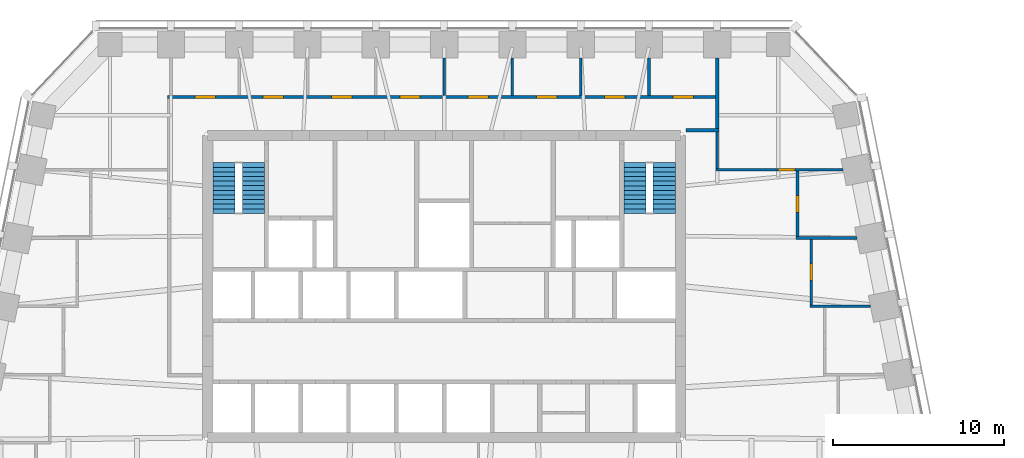
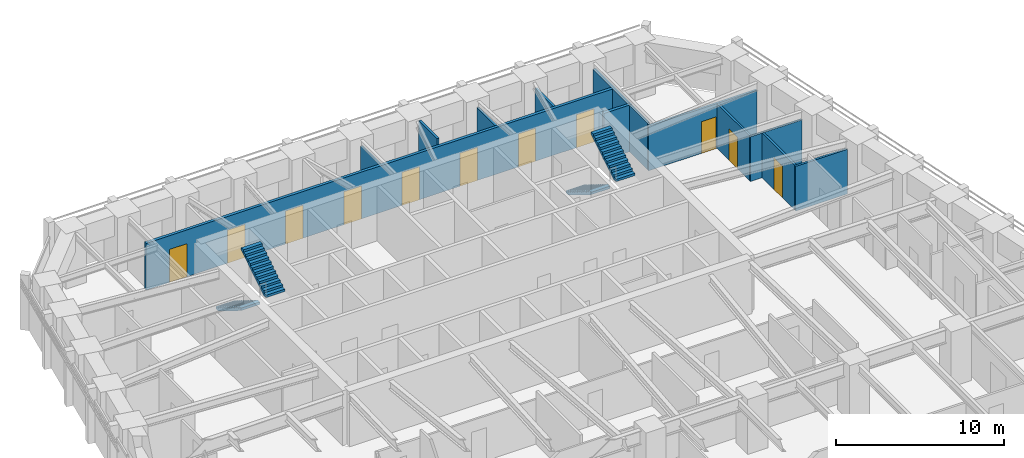
# One storey, part 9 of 11: 13 walls, 11 doors, 4 stair flights, 11 openings, 2 elements without a shape of their own.
"""IFC4 building model written with IfcOpenShell, lengths in metres."""

from ifc_helpers import new_model, si_unit, direction, frame, frame_2d, origin, place, context, subcontext, project, spatial, polyline, rectangle, outline, extrude, material, layer, layer_set, type_object, element, fill, aggregate, save


model = new_model("IFC4")

# Units and contexts
model_context = context("Model", 3, precision=1e-05, world=origin(), true_north=direction((0.0, 1.0)))
body_context = subcontext(model_context, "Body", "Model", "MODEL_VIEW")
ifc_project = project(units=[si_unit("LENGTHUNIT", "METRE"), si_unit("AREAUNIT", "SQUARE_METRE"), si_unit("VOLUMEUNIT", "CUBIC_METRE"), si_unit("PLANEANGLEUNIT", "RADIAN"), si_unit("MASSUNIT", "GRAM", prefix="KILO")], contexts=[model_context])

# Site, building, storey
site_placement = place(None, origin())
site = spatial("IfcSite", under=ifc_project, at=site_placement, CompositionType="ELEMENT")
building_placement = place(site_placement, origin())
building = spatial("IfcBuilding", under=site, at=building_placement, Name="Isbrekke Arena Tower", CompositionType="ELEMENT")
storey_placement = place(building_placement, frame((0.0, 0.0, 206.0)))
storey = spatial("IfcBuildingStorey", under=building, at=storey_placement, Name="L47", CompositionType="ELEMENT", Elevation=206.0)

# Walls
ifc_material_1 = material(Name="Gypsum board partition on steel studs", Category="steel")
ifc_layer_1 = layer(ifc_material_1, 0.14990234375)
ifc_layer_set_1 = layer_set([ifc_layer_1], Name="IW1 PARTITION 150")
wall_type_1 = type_object("IfcWallType", Name="IW1 PARTITION 150", PredefinedType="PARTITIONING", material=ifc_layer_set_1)
for number, where, z_axis, x_axis, name in (
    (1, (21.425048828125, 13.840087890625, 0.0), (0.0, 0.0, 1.0), (1.0, 0.0, 0.0), "IW1 partition 150 L47"),
    (2, (20.625, 17.840087890625, 0.0), (0.0, 0.0, 1.0), (1.0, 0.0, 0.0), "IW1 partition 150 L47"),
):
    element("IfcWall", number, at=place(storey_placement, frame(where, z_axis=z_axis, x_axis=x_axis)), inside=storey, type_object=wall_type_1, Name=name, PredefinedType="PARTITIONING", context=body_context, shape_type="SweptSolid", body=[
        extrude(rectangle(XDim=3.5498046875, YDim=0.14990234375, at=frame_2d((1.77490234375, 0.0))), origin(), (0.0, 0.0, 1.0), 3.25),
    ])

# Wall, opening, door
wall_1_placement = place(storey_placement, frame((15.925048828125, 21.840087890625, 0.0), z_axis=(0.0, 0.0, 1.0), x_axis=(1.0, 0.0, 0.0)))
wall_1 = element("IfcWall", 3, at=wall_1_placement, inside=storey, type_object=wall_type_1, Name="IW1 partition 150 L47", PredefinedType="PARTITIONING", context=body_context, shape_type="SweptSolid", body=[
    extrude(rectangle(XDim=7.44970703125, YDim=0.14990234375, at=frame_2d((3.724853515625, 0.0))), origin(), (0.0, 0.0, 1.0), 3.25),
])
opening_1_placement = place(wall_1_placement, frame((3.634033203125, 0.0, 0.0)))
opening_1 = element("IfcOpeningElement", 4, at=opening_1_placement, cuts=wall_1, Name="Opening D10", PredefinedType="OPENING", context=body_context, shape_type="SweptSolid", body=[
    extrude(rectangle(XDim=1.0, YDim=2.300048828125, at=frame_2d((0.5, 1.14990234375))), frame((0.0, 0.08984375, 0.0), z_axis=(0.0, -1.0, 0.0), x_axis=(1.0, 0.0, 0.0)), (0.0, 0.0, 1.0), 0.1796875),
])
ifc_material_2 = material(Name="Timber door", Category="wood")
door_type_1 = type_object("IfcDoorType", Name="D10 OFFICE DOOR 1000 x 2300", OperationType="SINGLE_SWING_LEFT", PredefinedType="DOOR", material=ifc_material_2)
door_1_placement = place(opening_1_placement, origin())
door_1 = element("IfcDoor", 5, at=door_1_placement, inside=storey, type_object=door_type_1, Name="D10 office door L47", OperationType="SINGLE_SWING_LEFT", OverallHeight=2.300048828125, OverallWidth=1.0, PredefinedType="DOOR", context=body_context, shape_type="SweptSolid", body=[
    extrude(rectangle(XDim=1.0, YDim=2.300048828125, at=frame_2d((0.5, 1.14990234375))), frame((0.0, 0.07470703125, 0.0), z_axis=(0.0, -1.0, 0.0), x_axis=(1.0, 0.0, 0.0)), (0.0, 0.0, 1.0), 0.1494140625),
])
fill(opening_1, door_1)

# Walls
wall_2_placement = place(storey_placement, frame((0.0, 26.199951171875, 0.0), z_axis=(0.0, 0.0, 1.0), x_axis=(0.0, 1.0, 0.0)))
element("IfcWall", 6, at=wall_2_placement, inside=storey, type_object=wall_type_1, Name="IW1 partition 150 L47", PredefinedType="PARTITIONING", context=body_context, shape_type="SweptSolid", body=[
    extrude(rectangle(XDim=2.175048828125, YDim=0.14990234375, at=frame_2d((1.08740234375, 0.0))), origin(), (0.0, 0.0, 1.0), 3.39990234375),
])
wall_3_placement = place(storey_placement, frame((4.0, 26.199951171875, 0.0), z_axis=(0.0, 0.0, 1.0), x_axis=(0.0, 1.0, 0.0)))
element("IfcWall", 7, at=wall_3_placement, inside=storey, type_object=wall_type_1, Name="IW1 partition 150 L47", PredefinedType="PARTITIONING", context=body_context, shape_type="SweptSolid", body=[
    extrude(rectangle(XDim=2.175048828125, YDim=0.14990234375, at=frame_2d((1.08740234375, 0.0))), origin(), (0.0, 0.0, 1.0), 3.85009765625),
])
for number, where, z_axis, x_axis, name in (
    (8, (8.0, 26.199951171875, 0.0), (0.0, 0.0, 1.0), (0.0, 1.0, 0.0), "IW1 partition 150 L47"),
    (9, (12.0, 26.199951171875, 0.0), (0.0, 0.0, 1.0), (0.0, 1.0, 0.0), "IW1 partition 150 L47"),
):
    element("IfcWall", number, at=place(storey_placement, frame(where, z_axis=z_axis, x_axis=x_axis)), inside=storey, type_object=wall_type_1, Name=name, PredefinedType="PARTITIONING", context=body_context, shape_type="SweptSolid", body=[
        extrude(rectangle(XDim=2.175048828125, YDim=0.14990234375, at=frame_2d((1.08740234375, 0.0))), origin(), (0.0, 0.0, 1.0), 3.39990234375),
    ])
wall_4_placement = place(storey_placement, frame((16.0, 21.9150390625, 0.0), z_axis=(0.0, 0.0, 1.0), x_axis=(0.0, 1.0, 0.0)))
element("IfcWall", 10, at=wall_4_placement, inside=storey, type_object=wall_type_1, Name="IW1 partition 150 L47", PredefinedType="PARTITIONING", context=body_context, shape_type="SweptSolid", body=[
    extrude(rectangle(XDim=2.135009765625, YDim=0.14990234375, at=frame_2d((1.0673828125, 0.0))), origin(), (0.0, 0.0, 1.0), 3.39990234375),
])

# Wall, opening, door
wall_5_placement = place(storey_placement, frame((20.699951171875, 17.9150390625, 0.0), z_axis=(0.0, 0.0, 1.0), x_axis=(0.0, 1.0, 0.0)))
wall_5 = element("IfcWall", 11, at=wall_5_placement, inside=storey, type_object=wall_type_1, Name="IW1 partition 150 L47", PredefinedType="PARTITIONING", context=body_context, shape_type="SweptSolid", body=[
    extrude(rectangle(XDim=3.849853515625, YDim=0.14990234375, at=frame_2d((1.9248046875, 0.0))), origin(), (0.0, 0.0, 1.0), 3.25),
])
opening_2_placement = place(wall_5_placement, frame((1.425048828125, 0.0, 0.0)))
opening_2 = element("IfcOpeningElement", 12, at=opening_2_placement, cuts=wall_5, Name="Opening D10", PredefinedType="OPENING", context=body_context, shape_type="SweptSolid", body=[
    extrude(rectangle(XDim=1.0, YDim=2.300048828125, at=frame_2d((0.5, 1.14990234375))), frame((0.0, 0.08984375, 0.0), z_axis=(0.0, -1.0, 0.0), x_axis=(1.0, 0.0, 0.0)), (0.0, 0.0, 1.0), 0.1796875),
])
door_2_placement = place(opening_2_placement, origin())
door_2 = element("IfcDoor", 13, at=door_2_placement, inside=storey, type_object=door_type_1, Name="D10 office door L47", OperationType="SINGLE_SWING_LEFT", OverallHeight=2.300048828125, OverallWidth=1.0, PredefinedType="DOOR", context=body_context, shape_type="SweptSolid", body=[
    extrude(rectangle(XDim=1.0, YDim=2.300048828125, at=frame_2d((0.5, 1.14990234375))), frame((0.0, 0.07470703125, 0.0), z_axis=(0.0, -1.0, 0.0), x_axis=(1.0, 0.0, 0.0)), (0.0, 0.0, 1.0), 0.1494140625),
])
fill(opening_2, door_2)

wall_6_placement = place(storey_placement, frame((21.5, 13.9150390625, 0.0), z_axis=(0.0, 0.0, 1.0), x_axis=(0.0, 1.0, 0.0)))
wall_6 = element("IfcWall", 14, at=wall_6_placement, inside=storey, type_object=wall_type_1, Name="IW1 partition 150 L47", PredefinedType="PARTITIONING", context=body_context, shape_type="SweptSolid", body=[
    extrude(rectangle(XDim=3.849853515625, YDim=0.14990234375, at=frame_2d((1.9248046875, 0.0))), origin(), (0.0, 0.0, 1.0), 3.25),
])
opening_3_placement = place(wall_6_placement, frame((1.425048828125, 0.0, 0.0)))
opening_3 = element("IfcOpeningElement", 15, at=opening_3_placement, cuts=wall_6, Name="Opening D10", PredefinedType="OPENING", context=body_context, shape_type="SweptSolid", body=[
    extrude(rectangle(XDim=1.0, YDim=2.300048828125, at=frame_2d((0.5, 1.14990234375))), frame((0.0, 0.08984375, 0.0), z_axis=(0.0, -1.0, 0.0), x_axis=(1.0, 0.0, 0.0)), (0.0, 0.0, 1.0), 0.1796875),
])
door_3_placement = place(opening_3_placement, origin())
door_3 = element("IfcDoor", 16, at=door_3_placement, inside=storey, type_object=door_type_1, Name="D10 office door L47", OperationType="SINGLE_SWING_LEFT", OverallHeight=2.300048828125, OverallWidth=1.0, PredefinedType="DOOR", context=body_context, shape_type="SweptSolid", body=[
    extrude(rectangle(XDim=1.0, YDim=2.300048828125, at=frame_2d((0.5, 1.14990234375))), frame((0.0, 0.07470703125, 0.0), z_axis=(0.0, -1.0, 0.0), x_axis=(1.0, 0.0, 0.0)), (0.0, 0.0, 1.0), 0.1494140625),
])
fill(opening_3, door_3)

# Wall
ifc_material_3 = material(Name="Gypsum board fire-cell wall on steel studs, two layers each side", Category="steel")
ifc_layer_2 = layer(ifc_material_3, 0.199951171875)
ifc_layer_set_2 = layer_set([ifc_layer_2], Name="IW3 FIRE-CELL WALL 200")
wall_type_2 = type_object("IfcWallType", Name="IW3 FIRE-CELL WALL 200", PredefinedType="PARTITIONING", material=ifc_layer_set_2)
wall_7_placement = place(storey_placement, frame((14.179931640625, 24.14990234375, 0.0), z_axis=(0.0, 0.0, 1.0), x_axis=(1.0, 0.0, 0.0)))
element("IfcWall", 17, at=wall_7_placement, inside=storey, type_object=wall_type_2, Name="IW3 fire-cell wall 200 L47", PredefinedType="PARTITIONING", context=body_context, shape_type="SweptSolid", body=[
    extrude(rectangle(XDim=1.920166015625, YDim=0.199951171875, at=frame_2d((0.9599609375, 0.0))), origin(), (0.0, 0.0, 1.0), 3.39990234375),
])

# Wall, openings, doors
wall_8_placement = place(storey_placement, frame((-16.199951171875, 26.10009765625, 0.0), z_axis=(0.0, 0.0, 1.0), x_axis=(1.0, 0.0, 0.0)))
wall_8 = element("IfcWall", 18, at=wall_8_placement, inside=storey, type_object=wall_type_2, Name="IW3 fire-cell wall 200 L47", PredefinedType="PARTITIONING", context=body_context, shape_type="SweptSolid", body=[
    extrude(rectangle(XDim=32.099853515625, YDim=0.199951171875, at=frame_2d((16.0498046875, 0.0))), origin(), (0.0, 0.0, 1.0), 3.39990234375),
])
opening_4_placement = place(wall_8_placement, frame((1.60009765625, 0.0, 0.0)))
opening_4 = element("IfcOpeningElement", 19, at=opening_4_placement, cuts=wall_8, Name="Opening D12", PredefinedType="OPENING", context=body_context, shape_type="SweptSolid", body=[
    extrude(rectangle(XDim=1.199951171875, YDim=2.39990234375, at=frame_2d((0.60009765625, 1.199951171875))), frame((0.0, 0.11474609375, 0.0), z_axis=(0.0, -1.0, 0.0), x_axis=(1.0, 0.0, 0.0)), (0.0, 0.0, 1.0), 0.229736328125),
])
opening_5_placement = place(wall_8_placement, frame((5.60009765625, 0.0, 0.0)))
opening_5 = element("IfcOpeningElement", 20, at=opening_5_placement, cuts=wall_8, Name="Opening D12", PredefinedType="OPENING", context=body_context, shape_type="SweptSolid", body=[
    extrude(rectangle(XDim=1.199951171875, YDim=2.39990234375, at=frame_2d((0.60009765625, 1.199951171875))), frame((0.0, 0.11474609375, 0.0), z_axis=(0.0, -1.0, 0.0), x_axis=(1.0, 0.0, 0.0)), (0.0, 0.0, 1.0), 0.229736328125),
])
opening_6_placement = place(wall_8_placement, frame((9.60009765625, 0.0, 0.0)))
opening_6 = element("IfcOpeningElement", 21, at=opening_6_placement, cuts=wall_8, Name="Opening D12", PredefinedType="OPENING", context=body_context, shape_type="SweptSolid", body=[
    extrude(rectangle(XDim=1.199951171875, YDim=2.39990234375, at=frame_2d((0.60009765625, 1.199951171875))), frame((0.0, 0.11474609375, 0.0), z_axis=(0.0, -1.0, 0.0), x_axis=(1.0, 0.0, 0.0)), (0.0, 0.0, 1.0), 0.229736328125),
])
opening_7_placement = place(wall_8_placement, frame((13.60009765625, 0.0, 0.0)))
opening_7 = element("IfcOpeningElement", 22, at=opening_7_placement, cuts=wall_8, Name="Opening D12", PredefinedType="OPENING", context=body_context, shape_type="SweptSolid", body=[
    extrude(rectangle(XDim=1.199951171875, YDim=2.39990234375, at=frame_2d((0.60009765625, 1.199951171875))), frame((0.0, 0.11474609375, 0.0), z_axis=(0.0, -1.0, 0.0), x_axis=(1.0, 0.0, 0.0)), (0.0, 0.0, 1.0), 0.229736328125),
])
opening_8_placement = place(wall_8_placement, frame((17.60009765625, 0.0, 0.0)))
opening_8 = element("IfcOpeningElement", 23, at=opening_8_placement, cuts=wall_8, Name="Opening D12", PredefinedType="OPENING", context=body_context, shape_type="SweptSolid", body=[
    extrude(rectangle(XDim=1.199951171875, YDim=2.39990234375, at=frame_2d((0.60009765625, 1.199951171875))), frame((0.0, 0.11474609375, 0.0), z_axis=(0.0, -1.0, 0.0), x_axis=(1.0, 0.0, 0.0)), (0.0, 0.0, 1.0), 0.229736328125),
])
opening_9_placement = place(wall_8_placement, frame((21.60009765625, 0.0, 0.0)))
opening_9 = element("IfcOpeningElement", 24, at=opening_9_placement, cuts=wall_8, Name="Opening D12", PredefinedType="OPENING", context=body_context, shape_type="SweptSolid", body=[
    extrude(rectangle(XDim=1.199951171875, YDim=2.39990234375, at=frame_2d((0.60009765625, 1.199951171875))), frame((0.0, 0.11474609375, 0.0), z_axis=(0.0, -1.0, 0.0), x_axis=(1.0, 0.0, 0.0)), (0.0, 0.0, 1.0), 0.229736328125),
])
opening_10_placement = place(wall_8_placement, frame((25.60009765625, 0.0, 0.0)))
opening_10 = element("IfcOpeningElement", 25, at=opening_10_placement, cuts=wall_8, Name="Opening D12", PredefinedType="OPENING", context=body_context, shape_type="SweptSolid", body=[
    extrude(rectangle(XDim=1.199951171875, YDim=2.39990234375, at=frame_2d((0.60009765625, 1.199951171875))), frame((0.0, 0.11474609375, 0.0), z_axis=(0.0, -1.0, 0.0), x_axis=(1.0, 0.0, 0.0)), (0.0, 0.0, 1.0), 0.229736328125),
])
opening_11_placement = place(wall_8_placement, frame((29.60009765625, 0.0, 0.0)))
opening_11 = element("IfcOpeningElement", 26, at=opening_11_placement, cuts=wall_8, Name="Opening D12", PredefinedType="OPENING", context=body_context, shape_type="SweptSolid", body=[
    extrude(rectangle(XDim=1.199951171875, YDim=2.39990234375, at=frame_2d((0.60009765625, 1.199951171875))), frame((0.0, 0.11474609375, 0.0), z_axis=(0.0, -1.0, 0.0), x_axis=(1.0, 0.0, 0.0)), (0.0, 0.0, 1.0), 0.229736328125),
])
ifc_material_4 = material(Name="Timber fire door with vision panel", Category="wood")
door_type_2 = type_object("IfcDoorType", Name="D12 SUITE ENTRANCE DOOR 1200 x 2400", OperationType="SINGLE_SWING_LEFT", PredefinedType="DOOR", material=ifc_material_4)
door_4_placement = place(opening_4_placement, origin())
door_4 = element("IfcDoor", 27, at=door_4_placement, inside=storey, type_object=door_type_2, Name="D12 office door L47", OperationType="SINGLE_SWING_LEFT", OverallHeight=2.39990234375, OverallWidth=1.199951171875, PredefinedType="DOOR", context=body_context, shape_type="SweptSolid", body=[
    extrude(rectangle(XDim=1.199951171875, YDim=2.39990234375, at=frame_2d((0.60009765625, 1.199951171875))), frame((0.0, 0.099609375, 0.0), z_axis=(0.0, -1.0, 0.0), x_axis=(1.0, 0.0, 0.0)), (0.0, 0.0, 1.0), 0.199462890625),
])
fill(opening_4, door_4)
door_5_placement = place(opening_5_placement, origin())
door_5 = element("IfcDoor", 28, at=door_5_placement, inside=storey, type_object=door_type_2, Name="D12 office door L47", OperationType="SINGLE_SWING_LEFT", OverallHeight=2.39990234375, OverallWidth=1.199951171875, PredefinedType="DOOR", context=body_context, shape_type="SweptSolid", body=[
    extrude(rectangle(XDim=1.199951171875, YDim=2.39990234375, at=frame_2d((0.60009765625, 1.199951171875))), frame((0.0, 0.099609375, 0.0), z_axis=(0.0, -1.0, 0.0), x_axis=(1.0, 0.0, 0.0)), (0.0, 0.0, 1.0), 0.199462890625),
])
fill(opening_5, door_5)
door_6_placement = place(opening_6_placement, origin())
door_6 = element("IfcDoor", 29, at=door_6_placement, inside=storey, type_object=door_type_2, Name="D12 office door L47", OperationType="SINGLE_SWING_LEFT", OverallHeight=2.39990234375, OverallWidth=1.199951171875, PredefinedType="DOOR", context=body_context, shape_type="SweptSolid", body=[
    extrude(rectangle(XDim=1.199951171875, YDim=2.39990234375, at=frame_2d((0.60009765625, 1.199951171875))), frame((0.0, 0.099609375, 0.0), z_axis=(0.0, -1.0, 0.0), x_axis=(1.0, 0.0, 0.0)), (0.0, 0.0, 1.0), 0.199462890625),
])
fill(opening_6, door_6)
door_7_placement = place(opening_7_placement, origin())
door_7 = element("IfcDoor", 30, at=door_7_placement, inside=storey, type_object=door_type_2, Name="D12 office door L47", OperationType="SINGLE_SWING_LEFT", OverallHeight=2.39990234375, OverallWidth=1.199951171875, PredefinedType="DOOR", context=body_context, shape_type="SweptSolid", body=[
    extrude(rectangle(XDim=1.199951171875, YDim=2.39990234375, at=frame_2d((0.60009765625, 1.199951171875))), frame((0.0, 0.099609375, 0.0), z_axis=(0.0, -1.0, 0.0), x_axis=(1.0, 0.0, 0.0)), (0.0, 0.0, 1.0), 0.199462890625),
])
fill(opening_7, door_7)
door_8_placement = place(opening_8_placement, origin())
door_8 = element("IfcDoor", 31, at=door_8_placement, inside=storey, type_object=door_type_2, Name="D12 office door L47", OperationType="SINGLE_SWING_LEFT", OverallHeight=2.39990234375, OverallWidth=1.199951171875, PredefinedType="DOOR", context=body_context, shape_type="SweptSolid", body=[
    extrude(rectangle(XDim=1.199951171875, YDim=2.39990234375, at=frame_2d((0.60009765625, 1.199951171875))), frame((0.0, 0.099609375, 0.0), z_axis=(0.0, -1.0, 0.0), x_axis=(1.0, 0.0, 0.0)), (0.0, 0.0, 1.0), 0.199462890625),
])
fill(opening_8, door_8)
door_9_placement = place(opening_9_placement, origin())
door_9 = element("IfcDoor", 32, at=door_9_placement, inside=storey, type_object=door_type_2, Name="D12 office door L47", OperationType="SINGLE_SWING_LEFT", OverallHeight=2.39990234375, OverallWidth=1.199951171875, PredefinedType="DOOR", context=body_context, shape_type="SweptSolid", body=[
    extrude(rectangle(XDim=1.199951171875, YDim=2.39990234375, at=frame_2d((0.60009765625, 1.199951171875))), frame((0.0, 0.099609375, 0.0), z_axis=(0.0, -1.0, 0.0), x_axis=(1.0, 0.0, 0.0)), (0.0, 0.0, 1.0), 0.199462890625),
])
fill(opening_9, door_9)
door_10_placement = place(opening_10_placement, origin())
door_10 = element("IfcDoor", 33, at=door_10_placement, inside=storey, type_object=door_type_2, Name="D12 office door L47", OperationType="SINGLE_SWING_LEFT", OverallHeight=2.39990234375, OverallWidth=1.199951171875, PredefinedType="DOOR", context=body_context, shape_type="SweptSolid", body=[
    extrude(rectangle(XDim=1.199951171875, YDim=2.39990234375, at=frame_2d((0.60009765625, 1.199951171875))), frame((0.0, 0.099609375, 0.0), z_axis=(0.0, -1.0, 0.0), x_axis=(1.0, 0.0, 0.0)), (0.0, 0.0, 1.0), 0.199462890625),
])
fill(opening_10, door_10)
door_11_placement = place(opening_11_placement, origin())
door_11 = element("IfcDoor", 34, at=door_11_placement, inside=storey, type_object=door_type_2, Name="D12 office door L47", OperationType="SINGLE_SWING_LEFT", OverallHeight=2.39990234375, OverallWidth=1.199951171875, PredefinedType="DOOR", context=body_context, shape_type="SweptSolid", body=[
    extrude(rectangle(XDim=1.199951171875, YDim=2.39990234375, at=frame_2d((0.60009765625, 1.199951171875))), frame((0.0, 0.099609375, 0.0), z_axis=(0.0, -1.0, 0.0), x_axis=(1.0, 0.0, 0.0)), (0.0, 0.0, 1.0), 0.199462890625),
])
fill(opening_11, door_11)

# Wall
wall_9_placement = place(storey_placement, frame((16.0, 24.25, 0.0), z_axis=(0.0, 0.0, 1.0), x_axis=(0.0, 1.0, 0.0)))
element("IfcWall", 35, at=wall_9_placement, inside=storey, type_object=wall_type_2, Name="IW3 fire-cell wall 200 L47", PredefinedType="PARTITIONING", context=body_context, shape_type="SweptSolid", body=[
    extrude(rectangle(XDim=4.125, YDim=0.199951171875, at=frame_2d((2.0625, 0.0))), origin(), (0.0, 0.0, 1.0), 3.39990234375),
])

# Stair, stair flights
ifc_material_5 = material(Name="Concrete B45 (C45/55) precast", Category="concrete")
stair_type = type_object("IfcStairType", Name="ST40 STAIR 1300 WIDE, 24 RISERS 167", PredefinedType="HALF_TURN_STAIR", material=ifc_material_5)
stair_1_placement = place(storey_placement, origin())
stair_1 = element("IfcStair", 36, at=stair_1_placement, inside=storey, type_object=stair_type, Name="ST1 stair L47", PredefinedType="HALF_TURN_STAIR")
ifc_material_6 = material(Name="Concrete B45 (C45/55) precast", Category="concrete")
stair_flight_type = type_object("IfcStairFlightType", Name="SF 1300 FLIGHT", PredefinedType="STRAIGHT", material=ifc_material_6)
stair_flight_1_placement = place(storey_placement, frame((-12.89990234375, 22.25, 0.0), z_axis=(0.0, 0.0, 1.0), x_axis=(0.0, -1.0, 0.0)))
stair_flight_1 = element("IfcStairFlight", 37, at=stair_flight_1_placement, type_object=stair_flight_type, Name="ST1 flight 1", NumberOfRisers=12, NumberOfTreads=11, PredefinedType="STRAIGHT", RiserHeight=0.166666667, TreadLength=0.27, context=body_context, shape_type="SweptSolid", body=[
    extrude(outline(polyline([(0.0, 0.0), (0.0, 0.166748046875), (0.27001953125, 0.166748046875), (0.27001953125, 0.333251953125), (0.5400390625, 0.333251953125), (0.5400390625, 0.5), (0.81005859375, 0.5), (0.81005859375, 0.666748046875), (1.080078125, 0.666748046875), (1.080078125, 0.833251953125), (1.35009765625, 0.833251953125), (1.35009765625, 1.0), (1.6201171875, 1.0), (1.6201171875, 1.166748046875), (1.889892578125, 1.166748046875), (1.889892578125, 1.333251953125), (2.159912109375, 1.333251953125), (2.159912109375, 1.5), (2.429931640625, 1.5), (2.429931640625, 1.666748046875), (2.699951171875, 1.666748046875), (2.699951171875, 1.833251953125), (2.969970703125, 1.833251953125), (2.969970703125, 2.0), (2.969970703125, 1.6572265625), (0.285400390625, 0.0), (0.0, 0.0)])), frame((0.0, 0.64990234375, 0.0), z_axis=(0.0, -1.0, 0.0), x_axis=(1.0, 0.0, 0.0)), (0.0, 0.0, 1.0), 1.300048828125),
])
stair_flight_2_placement = place(storey_placement, frame((-11.175048828125, 19.280029296875, 2.0), z_axis=(0.0, 0.0, 1.0), x_axis=(0.0, 1.0, 0.0)))
stair_flight_2 = element("IfcStairFlight", 38, at=stair_flight_2_placement, type_object=stair_flight_type, Name="ST1 flight 2", NumberOfRisers=12, NumberOfTreads=11, PredefinedType="STRAIGHT", RiserHeight=0.166666667, TreadLength=0.27, context=body_context, shape_type="SweptSolid", body=[
    extrude(outline(polyline([(0.0, 0.0), (0.0, 0.166748046875), (0.27001953125, 0.166748046875), (0.27001953125, 0.333251953125), (0.5400390625, 0.333251953125), (0.5400390625, 0.5), (0.81005859375, 0.5), (0.81005859375, 0.666748046875), (1.080078125, 0.666748046875), (1.080078125, 0.833251953125), (1.35009765625, 0.833251953125), (1.35009765625, 1.0), (1.6201171875, 1.0), (1.6201171875, 1.166748046875), (1.889892578125, 1.166748046875), (1.889892578125, 1.333251953125), (2.159912109375, 1.333251953125), (2.159912109375, 1.5), (2.429931640625, 1.5), (2.429931640625, 1.666748046875), (2.699951171875, 1.666748046875), (2.699951171875, 1.833251953125), (2.969970703125, 1.833251953125), (2.969970703125, 2.0), (2.969970703125, 1.6572265625), (0.285400390625, 0.0), (0.0, 0.0)])), frame((0.0, 0.64990234375, 0.0), z_axis=(0.0, -1.0, 0.0), x_axis=(1.0, 0.0, 0.0)), (0.0, 0.0, 1.0), 1.300048828125),
])
aggregate(stair_1, [stair_flight_1, stair_flight_2])

stair_2_placement = place(storey_placement, origin())
stair_2 = element("IfcStair", 39, at=stair_2_placement, inside=storey, type_object=stair_type, Name="ST2 stair L47", PredefinedType="HALF_TURN_STAIR")
stair_flight_3_placement = place(storey_placement, frame((11.175048828125, 22.25, 0.0), z_axis=(0.0, 0.0, 1.0), x_axis=(0.0, -1.0, 0.0)))
stair_flight_3 = element("IfcStairFlight", 40, at=stair_flight_3_placement, type_object=stair_flight_type, Name="ST2 flight 1", NumberOfRisers=12, NumberOfTreads=11, PredefinedType="STRAIGHT", RiserHeight=0.166666667, TreadLength=0.27, context=body_context, shape_type="SweptSolid", body=[
    extrude(outline(polyline([(0.0, 0.0), (0.0, 0.166748046875), (0.27001953125, 0.166748046875), (0.27001953125, 0.333251953125), (0.5400390625, 0.333251953125), (0.5400390625, 0.5), (0.81005859375, 0.5), (0.81005859375, 0.666748046875), (1.080078125, 0.666748046875), (1.080078125, 0.833251953125), (1.35009765625, 0.833251953125), (1.35009765625, 1.0), (1.6201171875, 1.0), (1.6201171875, 1.166748046875), (1.889892578125, 1.166748046875), (1.889892578125, 1.333251953125), (2.159912109375, 1.333251953125), (2.159912109375, 1.5), (2.429931640625, 1.5), (2.429931640625, 1.666748046875), (2.699951171875, 1.666748046875), (2.699951171875, 1.833251953125), (2.969970703125, 1.833251953125), (2.969970703125, 2.0), (2.969970703125, 1.6572265625), (0.285400390625, 0.0), (0.0, 0.0)])), frame((0.0, 0.64990234375, 0.0), z_axis=(0.0, -1.0, 0.0), x_axis=(1.0, 0.0, 0.0)), (0.0, 0.0, 1.0), 1.300048828125),
])
stair_flight_4_placement = place(storey_placement, frame((12.89990234375, 19.280029296875, 2.0), z_axis=(0.0, 0.0, 1.0), x_axis=(0.0, 1.0, 0.0)))
stair_flight_4 = element("IfcStairFlight", 41, at=stair_flight_4_placement, type_object=stair_flight_type, Name="ST2 flight 2", NumberOfRisers=12, NumberOfTreads=11, PredefinedType="STRAIGHT", RiserHeight=0.166666667, TreadLength=0.27, context=body_context, shape_type="SweptSolid", body=[
    extrude(outline(polyline([(0.0, 0.0), (0.0, 0.166748046875), (0.27001953125, 0.166748046875), (0.27001953125, 0.333251953125), (0.5400390625, 0.333251953125), (0.5400390625, 0.5), (0.81005859375, 0.5), (0.81005859375, 0.666748046875), (1.080078125, 0.666748046875), (1.080078125, 0.833251953125), (1.35009765625, 0.833251953125), (1.35009765625, 1.0), (1.6201171875, 1.0), (1.6201171875, 1.166748046875), (1.889892578125, 1.166748046875), (1.889892578125, 1.333251953125), (2.159912109375, 1.333251953125), (2.159912109375, 1.5), (2.429931640625, 1.5), (2.429931640625, 1.666748046875), (2.699951171875, 1.666748046875), (2.699951171875, 1.833251953125), (2.969970703125, 1.833251953125), (2.969970703125, 2.0), (2.969970703125, 1.6572265625), (0.285400390625, 0.0), (0.0, 0.0)])), frame((0.0, 0.64990234375, 0.0), z_axis=(0.0, -1.0, 0.0), x_axis=(1.0, 0.0, 0.0)), (0.0, 0.0, 1.0), 1.300048828125),
])
aggregate(stair_2, [stair_flight_3, stair_flight_4])

save(model, "model.ifc")
